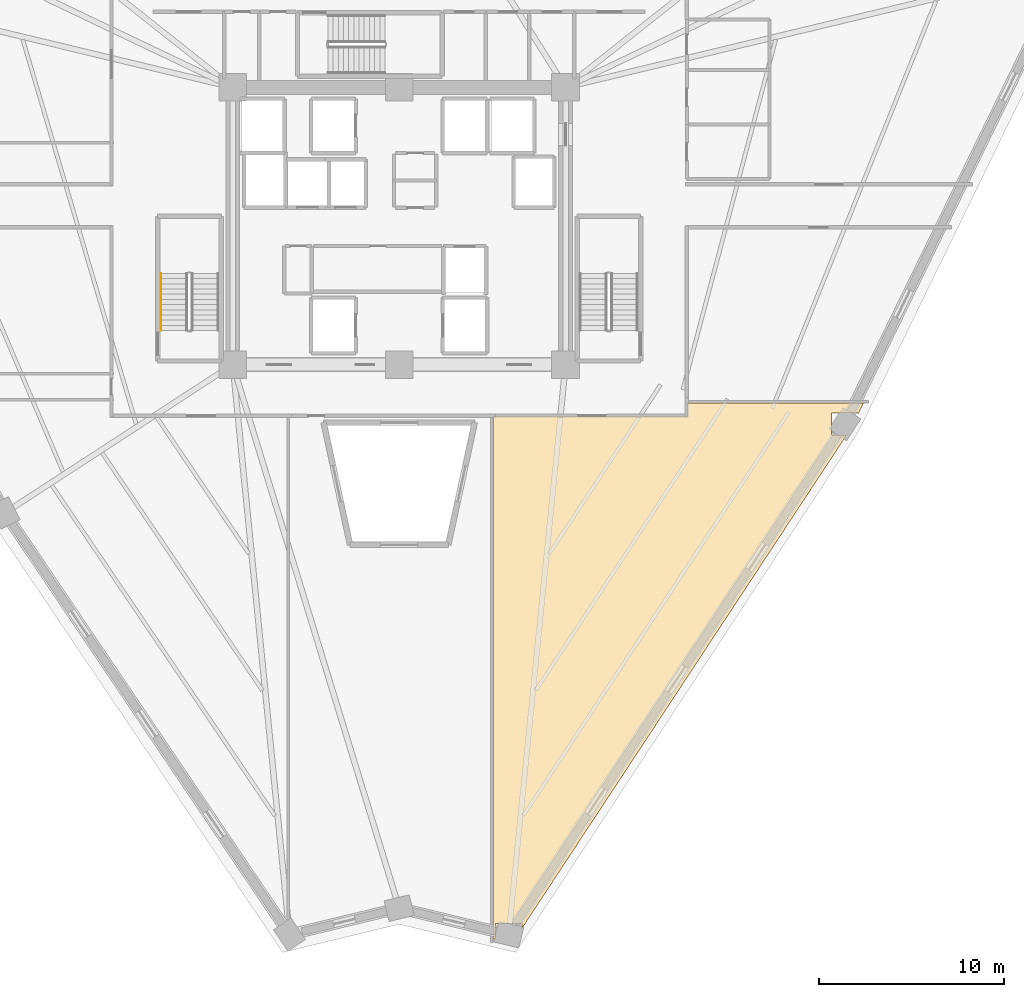
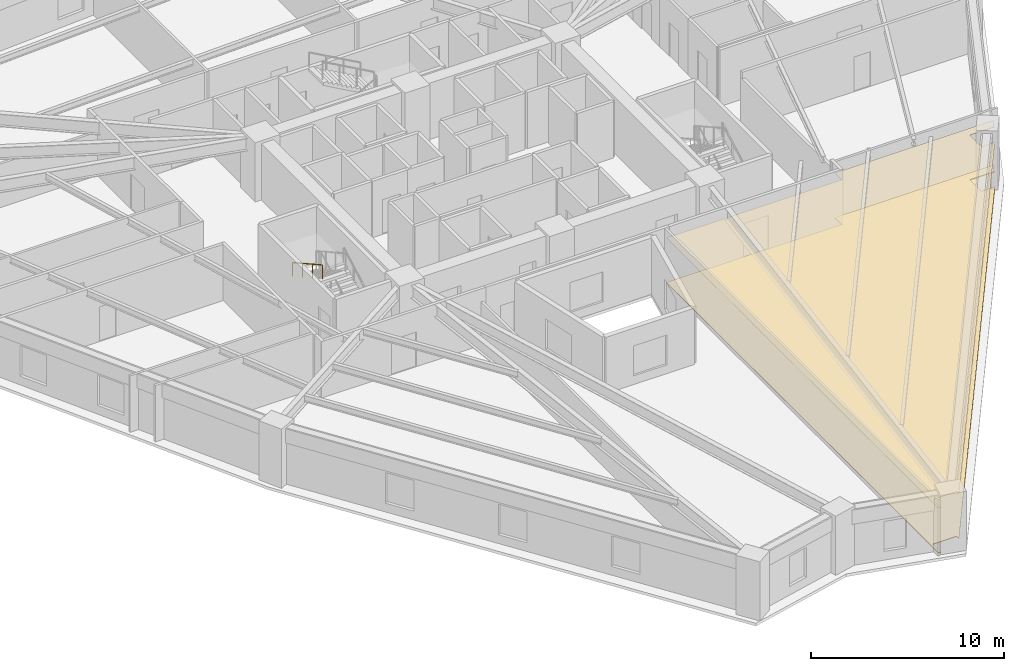
# One storey, part 9 of 10: 2 coverings, 1 railing.
"""IFC4 building model written with IfcOpenShell, lengths in metres."""

from ifc_helpers import new_model, si_unit, direction, frame, origin, origin_2d, place, context, subcontext, project, spatial, polyline, rectangle, outline, extrude, material, layer, layer_set, type_object, element, save


model = new_model("IFC4")

# Units and contexts
model_context = context("Model", 3, precision=1e-05, world=origin(), true_north=direction((0.0, 1.0)))
body_context = subcontext(model_context, "Body", "Model", "MODEL_VIEW")
ifc_project = project(units=[si_unit("LENGTHUNIT", "METRE"), si_unit("AREAUNIT", "SQUARE_METRE"), si_unit("VOLUMEUNIT", "CUBIC_METRE"), si_unit("PLANEANGLEUNIT", "RADIAN"), si_unit("MASSUNIT", "GRAM", prefix="KILO")], contexts=[model_context])

# Site, building, storey
site_placement = place(None, origin())
site = spatial("IfcSite", under=ifc_project, at=site_placement, CompositionType="ELEMENT")
building_placement = place(site_placement, origin())
building = spatial("IfcBuilding", under=site, at=building_placement, Name="Liaohun Quay Tower", CompositionType="ELEMENT")
storey_placement = place(building_placement, frame((0.0, 0.0, 124.5)))
storey = spatial("IfcBuildingStorey", under=building, at=storey_placement, Name="L32", CompositionType="ELEMENT", Elevation=124.5)

# Coverings
ifc_material_1 = material(Name="Mineral-fibre acoustic ceiling tile")
ifc_layer_1 = layer(ifc_material_1, 0.02490234375, Name="Mineral-fibre acoustic ceiling tile")
ifc_layer_set_1 = layer_set([ifc_layer_1], Name="Mineral-fibre acoustic ceiling tile")
covering_type_1 = type_object("IfcCoveringType", Name="COV-CEIL-ACT", PredefinedType="CEILING", material=ifc_layer_set_1)
covering_1_placement = place(storey_placement, frame((0.0, 0.0, 2.85009765625)))
element("IfcCovering", 1, at=covering_1_placement, inside=storey, type_object=covering_type_1, Name="L32 Client Reception Office 12 Acoustic Ceiling", PredefinedType="CEILING", context=body_context, shape_type="SweptSolid", body=[
    extrude(outline(polyline([(75.580078125, 43.719970703125), (65.074951171875, 43.719970703125), (65.074951171875, 15.4599609375), (65.2041015625, 15.428955078125), (65.2041015625, 16.27197265625), (66.64404296875, 16.27197265625), (66.64404296875, 16.02490234375), (84.197998046875, 42.695068359375), (83.37890625, 42.695068359375), (83.37890625, 43.885009765625), (84.819091796875, 43.885009765625), (84.819091796875, 43.8310546875), (85.10791015625, 44.425048828125), (75.580078125, 44.425048828125), (75.580078125, 43.719970703125)])), origin(), (0.0, 0.0, 1.0), 0.02490234375),
])
ifc_material_2 = material(Name="Calcium-sulphate raised access floor tile")
ifc_layer_2 = layer(ifc_material_2, 0.044921875, Name="Calcium-sulphate raised access floor tile")
ifc_layer_set_2 = layer_set([ifc_layer_2], Name="Calcium-sulphate raised access floor tile")
covering_type_2 = type_object("IfcCoveringType", Name="COV-FLR-RAF", PredefinedType="FLOORING", material=ifc_layer_set_2)
covering_2_placement = place(storey_placement, origin())
element("IfcCovering", 2, at=covering_2_placement, inside=storey, type_object=covering_type_2, Name="L32 Client Reception Office 12 Floor Finish", PredefinedType="FLOORING", context=body_context, shape_type="SweptSolid", body=[
    extrude(outline(polyline([(75.580078125, 43.719970703125), (65.074951171875, 43.719970703125), (65.074951171875, 15.4599609375), (65.2041015625, 15.428955078125), (65.2041015625, 16.27197265625), (66.64404296875, 16.27197265625), (66.64404296875, 16.02490234375), (84.197998046875, 42.695068359375), (83.37890625, 42.695068359375), (83.37890625, 43.885009765625), (84.819091796875, 43.885009765625), (84.819091796875, 43.8310546875), (85.10791015625, 44.425048828125), (75.580078125, 44.425048828125), (75.580078125, 43.719970703125)])), origin(), (0.0, 0.0, 1.0), 0.044921875),
])

# Railing
ifc_material_3 = material(Name="Brushed stainless steel", Category="steel")
railing_type = type_object("IfcRailingType", Name="RLG-HND-STR", PredefinedType="HANDRAIL", material=ifc_material_3)
railing_placement = place(storey_placement, frame((47.1201171875, 51.429931640625, 2.03125)))
element("IfcRailing", 3, at=railing_placement, inside=storey, type_object=railing_type, Name="L32 ST-1 stair handrail 2", PredefinedType="HANDRAIL", context=body_context, shape_type="SweptSolid", body=[
    extrude(rectangle(XDim=0.048095703125, YDim=0.048095703125, at=origin_2d()), frame((0.0, 0.0, 0.8759765625), z_axis=(0.0, -0.873225103656, 0.487317061414), x_axis=(1.0, 0.0, 0.0)), (0.0, 0.0, 1.0), 3.52685546875),
    extrude(rectangle(XDim=0.0419921875, YDim=0.0419921875, at=origin_2d()), origin(), (0.0, 0.0, 1.0), 0.851806640625),
    extrude(rectangle(XDim=0.0419921875, YDim=0.0419921875, at=origin_2d()), frame((0.0, -1.026611328125, 0.572998046875)), (0.0, 0.0, 1.0), 0.851806640625),
    extrude(rectangle(XDim=0.0419921875, YDim=0.0419921875, at=origin_2d()), frame((0.0, -2.05322265625, 1.145751953125)), (0.0, 0.0, 1.0), 0.851806640625),
    extrude(rectangle(XDim=0.0419921875, YDim=0.0419921875, at=origin_2d()), frame((0.0, -3.079833984375, 1.71875)), (0.0, 0.0, 1.0), 0.851806640625),
])

save(model, "model.ifc")
